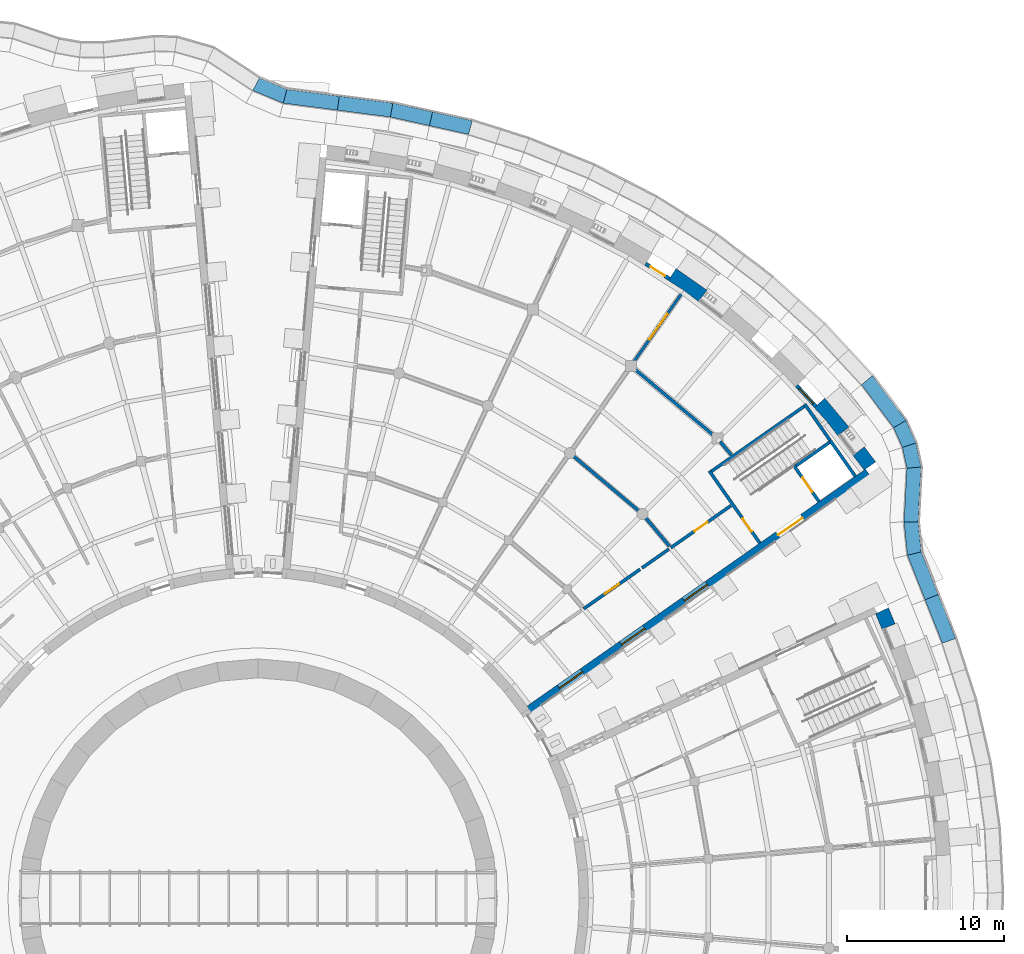
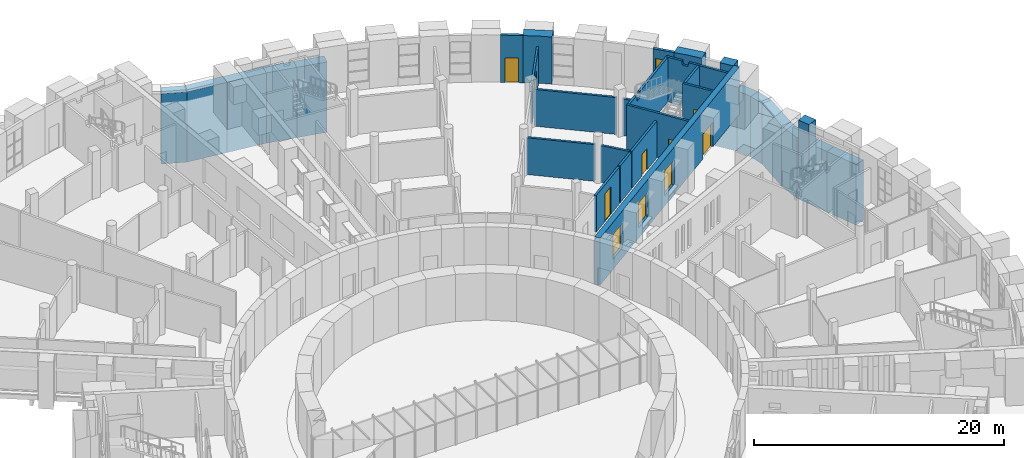
# One storey, part 60 of 85: 33 walls, 8 doors, 3 windows, 11 openings.
"""IFC4 building model written with IfcOpenShell, lengths in metres."""

from ifc_helpers import new_model, si_unit, direction, frame, frame_2d, origin, place, context, subcontext, project, spatial, polyline, rectangle, outline, extrude, material, layer, layer_set, type_object, element, fill, save


model = new_model("IFC4")

# Units and contexts
model_context = context("Model", 3, precision=1e-05, world=origin(), true_north=direction((0.0, 1.0)))
body_context = subcontext(model_context, "Body", "Model", "MODEL_VIEW")
ifc_project = project(units=[si_unit("LENGTHUNIT", "METRE"), si_unit("AREAUNIT", "SQUARE_METRE"), si_unit("VOLUMEUNIT", "CUBIC_METRE"), si_unit("PLANEANGLEUNIT", "RADIAN"), si_unit("MASSUNIT", "GRAM", prefix="KILO")], contexts=[model_context])

# Site, building, storey
site_placement = place(None, origin())
site = spatial("IfcSite", under=ifc_project, at=site_placement, CompositionType="ELEMENT")
building_placement = place(site_placement, origin())
building = spatial("IfcBuilding", under=site, at=building_placement, Name="Volute Hill Aquarium", CompositionType="ELEMENT")
storey_placement = place(building_placement, origin())
storey = spatial("IfcBuildingStorey", under=building, at=storey_placement, Name="L01", CompositionType="ELEMENT", Elevation=0.0)

# Wall, opening, door
ifc_material_1 = material(Name="Concrete C30/37", Category="concrete")
ifc_layer_1 = layer(ifc_material_1, 0.199951171875)
ifc_layer_set_1 = layer_set([ifc_layer_1], Name="Core wall 200 REI 60")
wall_type_1 = type_object("IfcWallType", Name="Core wall 200 REI 60", PredefinedType="SHEAR", material=ifc_layer_set_1)
wall_1_placement = place(storey_placement, frame((31.873291015625, 22.56201171875, 0.0), z_axis=(0.0, 0.0, 1.0), x_axis=(-0.573599855614, 0.819135645446, 0.0)))
wall_1 = element("IfcWall", 1, at=wall_1_placement, inside=storey, type_object=wall_type_1, Name="wc/S5-A/L01/in", PredefinedType="SHEAR", context=body_context, shape_type="SweptSolid", body=[
    extrude(rectangle(XDim=5.60009765625, YDim=0.199951171875, at=frame_2d((2.800048828125, 0.0))), origin(), (0.0, 0.0, 1.0), 4.35009765625),
])
opening_1_placement = place(wall_1_placement, frame((0.89990234375, 0.0, 0.0)))
opening_1 = element("IfcOpeningElement", 2, at=opening_1_placement, cuts=wall_1, Name="Opening D5.01.AS", PredefinedType="OPENING", context=body_context, shape_type="SweptSolid", body=[
    extrude(rectangle(XDim=1.0, YDim=2.10009765625, at=frame_2d((0.5, 1.050048828125))), frame((0.0, 0.10986328125, 0.0), z_axis=(0.0, -1.0, 0.0), x_axis=(1.0, 0.0, 0.0)), (0.0, 0.0, 1.0), 0.219970703125),
])
ifc_material_2 = material(Name="Timber, fire-rated", Category="wood")
door_type_1 = type_object("IfcDoorType", Name="Door 1000 x 2100 single EI1 30", OperationType="SINGLE_SWING_LEFT", PredefinedType="DOOR", material=ifc_material_2)
door_1_placement = place(opening_1_placement, origin())
door_1 = element("IfcDoor", 3, at=door_1_placement, inside=storey, type_object=door_type_1, Name="d/S5-A/L01/st", OperationType="SINGLE_SWING_RIGHT", OverallHeight=2.10009765625, OverallWidth=1.0, PredefinedType="DOOR", context=body_context, shape_type="SweptSolid", body=[
    extrude(rectangle(XDim=1.0, YDim=2.10009765625, at=frame_2d((0.5, 1.050048828125))), frame((0.0, 0.02490234375, 0.0), z_axis=(0.0, -1.0, 0.0), x_axis=(1.0, 0.0, 0.0)), (0.0, 0.0, 1.0), 0.050048828125),
])
fill(opening_1, door_1)

# Walls
wall_2_placement = place(storey_placement, frame((28.80029296875, 27.124755859375, 0.0), z_axis=(0.0, 0.0, 1.0), x_axis=(0.819161821637, 0.573562472597, 0.0)))
element("IfcWall", 4, at=wall_2_placement, inside=storey, type_object=wall_type_1, Name="wc/S5-A/L01/side", PredefinedType="SHEAR", context=body_context, shape_type="SweptSolid", body=[
    extrude(outline(polyline([(0.0, 0.0), (7.199951171875, 0.0), (7.199951171875, 4.35009765625), (1.93017578125, 4.35009765625), (1.880126953125, 3.760009765625), (1.380126953125, 3.760009765625), (1.330078125, 4.35009765625), (0.0, 4.35009765625), (0.0, 0.0)])), frame((0.0, 0.10009765625, 0.0), z_axis=(0.0, -1.0, 0.0), x_axis=(1.0, 0.0, 0.0)), (0.0, 0.0, 1.0), 0.199951171875),
])
wall_3_placement = place(storey_placement, frame((36.328857421875, 29.10009765625, 0.0), z_axis=(0.0, 0.0, 1.0), x_axis=(-0.573550118428, 0.819170471667, 0.0)))
element("IfcWall", 5, at=wall_3_placement, inside=storey, type_object=wall_type_1, Name="wc/S5-A/L01/out-b", PredefinedType="SHEAR", context=body_context, shape_type="SweptSolid", body=[
    extrude(outline(polyline([(0.0, 0.0), (2.800048828125, 0.0), (2.800048828125, 4.35009765625), (1.37255859375, 4.35009765625), (1.322509765625, 3.9599609375), (0.822509765625, 3.9599609375), (0.7724609375, 4.35009765625), (0.0, 4.35009765625), (0.0, 0.0)])), frame((0.0, 0.10009765625, 0.0), z_axis=(0.0, -1.0, 0.0), x_axis=(1.0, 0.0, 0.0)), (0.0, 0.0, 1.0), 0.199951171875),
])

# Wall, opening, door
ifc_material_3 = material(Name="Gypsum board on steel studs", Category="steel")
ifc_layer_2 = layer(ifc_material_3, 0.175048828125)
ifc_layer_set_2 = layer_set([ifc_layer_2], Name="Corridor partition 175 EI 60")
wall_type_2 = type_object("IfcWallType", Name="Corridor partition 175 EI 60", PredefinedType="PARTITIONING", material=ifc_layer_set_2)
wall_4_placement = place(storey_placement, frame((23.819091796875, 34.01708984375, 0.0), z_axis=(0.0, 0.0, 1.0), x_axis=(0.573564881926, 0.819160134663, 0.0)))
wall_4 = element("IfcWall", 6, at=wall_4_placement, inside=storey, type_object=wall_type_2, Name="pw/S5/L01/008", PredefinedType="PARTITIONING", context=body_context, shape_type="SweptSolid", body=[
    extrude(rectangle(XDim=5.5927734375, YDim=0.175048828125, at=frame_2d((2.79638671875, 0.0))), origin(), (0.0, 0.0, 1.0), 3.590087890625),
])
opening_2_placement = place(wall_4_placement, frame((1.79638671875, 0.0, 0.0)))
opening_2 = element("IfcOpeningElement", 7, at=opening_2_placement, cuts=wall_4, Name="Opening D5.01.08", PredefinedType="OPENING", context=body_context, shape_type="SweptSolid", body=[
    extrude(rectangle(XDim=2.0, YDim=2.699951171875, at=frame_2d((1.0, 1.35009765625))), frame((0.0, 0.097412109375, 0.0), z_axis=(0.0, -1.0, 0.0), x_axis=(1.0, 0.0, 0.0)), (0.0, 0.0, 1.0), 0.195068359375),
])
ifc_material_4 = material(Name="Steel, fire-rated", Category="steel")
door_type_2 = type_object("IfcDoorType", Name="Door 2000 x 2700 dock double EI1 30", OperationType="DOUBLE_DOOR_SINGLE_SWING", PredefinedType="DOOR", material=ifc_material_4)
door_2_placement = place(opening_2_placement, origin())
door_2 = element("IfcDoor", 8, at=door_2_placement, inside=storey, type_object=door_type_2, Name="d/S5/L01/08", OperationType="SINGLE_SWING_LEFT", OverallHeight=2.699951171875, OverallWidth=2.0, PredefinedType="DOOR", context=body_context, shape_type="SweptSolid", body=[
    extrude(rectangle(XDim=2.0, YDim=2.699951171875, at=frame_2d((1.0, 1.35009765625))), frame((0.0, 0.02490234375, 0.0), z_axis=(0.0, -1.0, 0.0), x_axis=(1.0, 0.0, 0.0)), (0.0, 0.0, 1.0), 0.050048828125),
])
fill(opening_2, door_2)

# Wall, openings, door, windows
ifc_material_5 = material(Name="Concrete C35/45", Category="concrete")
ifc_layer_3 = layer(ifc_material_5, 0.5)
ifc_layer_set_3 = layer_set([ifc_layer_3], Name="End wall 500 C35/45")
wall_type_3 = type_object("IfcWallType", Name="End wall 500 C35/45", PredefinedType="SHEAR", material=ifc_layer_set_3)
wall_5_placement = place(storey_placement, frame((17.14892578125, 11.94677734375, 0.0), z_axis=(0.0, 0.0, 1.0), x_axis=(0.819152256121, 0.573576133823, 0.0)))
wall_5 = element("IfcWall", 9, at=wall_5_placement, inside=storey, type_object=wall_type_3, Name="sw/S5/L01/endA", PredefinedType="SHEAR", context=body_context, shape_type="SweptSolid", body=[
    extrude(rectangle(XDim=26.35009765625, YDim=0.5, at=frame_2d((13.175048828125, 0.0))), origin(), (0.0, 0.0, 1.0), 4.60009765625),
])
opening_3_placement = place(wall_5_placement, frame((2.43115234375, 0.0, 1.0)))
opening_3 = element("IfcOpeningElement", 10, at=opening_3_placement, cuts=wall_5, Name="Opening W13", PredefinedType="OPENING", context=body_context, shape_type="SweptSolid", body=[
    extrude(rectangle(XDim=1.800048828125, YDim=2.39990234375, at=frame_2d((0.89990234375, 1.199951171875))), frame((0.0, 0.260009765625, 0.0), z_axis=(0.0, -1.0, 0.0), x_axis=(1.0, 0.0, 0.0)), (0.0, 0.0, 1.0), 0.52001953125),
])
opening_4_placement = place(wall_5_placement, frame((7.252197265625, 0.0, 1.0)))
opening_4 = element("IfcOpeningElement", 11, at=opening_4_placement, cuts=wall_5, Name="Opening W13", PredefinedType="OPENING", context=body_context, shape_type="SweptSolid", body=[
    extrude(rectangle(XDim=1.800048828125, YDim=2.39990234375, at=frame_2d((0.89990234375, 1.199951171875))), frame((0.0, 0.260009765625, 0.0), z_axis=(0.0, -1.0, 0.0), x_axis=(1.0, 0.0, 0.0)), (0.0, 0.0, 1.0), 0.52001953125),
])
opening_5_placement = place(wall_5_placement, frame((12.1181640625, 0.0, 1.0)))
opening_5 = element("IfcOpeningElement", 12, at=opening_5_placement, cuts=wall_5, Name="Opening W13", PredefinedType="OPENING", context=body_context, shape_type="SweptSolid", body=[
    extrude(rectangle(XDim=1.800048828125, YDim=2.39990234375, at=frame_2d((0.89990234375, 1.199951171875))), frame((0.0, 0.260009765625, 0.0), z_axis=(0.0, -1.0, 0.0), x_axis=(1.0, 0.0, 0.0)), (0.0, 0.0, 1.0), 0.52001953125),
])
opening_6_placement = place(wall_5_placement, frame((19.39990234375, 0.0, 0.0)))
opening_6 = element("IfcOpeningElement", 13, at=opening_6_placement, cuts=wall_5, Name="Opening D5.01.AX", PredefinedType="OPENING", context=body_context, shape_type="SweptSolid", body=[
    extrude(rectangle(XDim=1.89990234375, YDim=2.39990234375, at=frame_2d((0.949951171875, 1.199951171875))), frame((0.0, 0.260009765625, 0.0), z_axis=(0.0, -1.0, 0.0), x_axis=(1.0, 0.0, 0.0)), (0.0, 0.0, 1.0), 0.52001953125),
])
ifc_material_6 = material(Name="Steel, fire-rated", Category="steel")
door_type_3 = type_object("IfcDoorType", Name="Door 1900 x 2400 stair exit double EI1 30", OperationType="DOUBLE_DOOR_SINGLE_SWING", PredefinedType="DOOR", material=ifc_material_6)
door_3_placement = place(opening_6_placement, origin())
door_3 = element("IfcDoor", 14, at=door_3_placement, inside=storey, type_object=door_type_3, Name="d/S5-A/L01/ex", OperationType="SINGLE_SWING_LEFT", OverallHeight=2.39990234375, OverallWidth=1.89990234375, PredefinedType="DOOR", context=body_context, shape_type="SweptSolid", body=[
    extrude(rectangle(XDim=1.89990234375, YDim=2.39990234375, at=frame_2d((0.949951171875, 1.199951171875))), frame((0.0, 0.02490234375, 0.0), z_axis=(0.0, -1.0, 0.0), x_axis=(1.0, 0.0, 0.0)), (0.0, 0.0, 1.0), 0.050048828125),
])
fill(opening_6, door_3)
ifc_material_7 = material(Name="Aluminium and glass", Category="aluminium")
window_type = type_object("IfcWindowType", Name="End wall window 1800x2400", PartitioningType="SINGLE_PANEL", PredefinedType="WINDOW", material=ifc_material_7)
window_1_placement = place(opening_3_placement, origin())
window_1 = element("IfcWindow", 15, at=window_1_placement, inside=storey, type_object=window_type, Name="End wall window S5A L01 1.1", OverallHeight=2.39990234375, OverallWidth=1.800048828125, PartitioningType="SINGLE_PANEL", PredefinedType="WINDOW", context=body_context, shape_type="SweptSolid", body=[
    extrude(rectangle(XDim=1.800048828125, YDim=2.39990234375, at=frame_2d((0.89990234375, 1.199951171875))), frame((0.0, 0.030029296875, 0.0), z_axis=(0.0, -1.0, 0.0), x_axis=(1.0, 0.0, 0.0)), (0.0, 0.0, 1.0), 0.06005859375),
])
fill(opening_3, window_1)
window_2_placement = place(opening_4_placement, origin())
window_2 = element("IfcWindow", 16, at=window_2_placement, inside=storey, type_object=window_type, Name="End wall window S5A L01 2.1", OverallHeight=2.39990234375, OverallWidth=1.800048828125, PartitioningType="SINGLE_PANEL", PredefinedType="WINDOW", context=body_context, shape_type="SweptSolid", body=[
    extrude(rectangle(XDim=1.800048828125, YDim=2.39990234375, at=frame_2d((0.89990234375, 1.199951171875))), frame((0.0, 0.030029296875, 0.0), z_axis=(0.0, -1.0, 0.0), x_axis=(1.0, 0.0, 0.0)), (0.0, 0.0, 1.0), 0.06005859375),
])
fill(opening_4, window_2)
window_3_placement = place(opening_5_placement, origin())
window_3 = element("IfcWindow", 17, at=window_3_placement, inside=storey, type_object=window_type, Name="End wall window S5A L01 3.1", OverallHeight=2.39990234375, OverallWidth=1.800048828125, PartitioningType="SINGLE_PANEL", PredefinedType="WINDOW", context=body_context, shape_type="SweptSolid", body=[
    extrude(rectangle(XDim=1.800048828125, YDim=2.39990234375, at=frame_2d((0.89990234375, 1.199951171875))), frame((0.0, 0.030029296875, 0.0), z_axis=(0.0, -1.0, 0.0), x_axis=(1.0, 0.0, 0.0)), (0.0, 0.0, 1.0), 0.06005859375),
])
fill(opening_5, window_3)

# Walls
ifc_material_8 = material(Name="Masonry blockwork", Category="masonry")
ifc_layer_4 = layer(ifc_material_8, 0.199951171875)
ifc_layer_set_4 = layer_set([ifc_layer_4], Name="Fire partition 200 EI 60")
wall_type_4 = type_object("IfcWallType", Name="Fire partition 200 EI 60", PredefinedType="PARTITIONING", material=ifc_layer_set_4)
wall_6_placement = place(storey_placement, frame((23.865234375, 33.66650390625, 0.0), z_axis=(0.0, 0.0, 1.0), x_axis=(0.766057023057, -0.642772617202, 0.0)))
element("IfcWall", 18, at=wall_6_placement, inside=storey, type_object=wall_type_4, Name="pw/S5/L01/003", PredefinedType="PARTITIONING", context=body_context, shape_type="SweptSolid", body=[
    extrude(rectangle(XDim=6.71728515625, YDim=0.199951171875, at=frame_2d((3.358642578125, 0.0))), origin(), (0.0, 0.0, 1.0), 3.590087890625),
])
wall_7_placement = place(storey_placement, frame((19.986572265625, 28.126953125, 0.0), z_axis=(0.0, 0.0, 1.0), x_axis=(0.766045187475, -0.642786722597, 0.0)))
element("IfcWall", 19, at=wall_7_placement, inside=storey, type_object=wall_type_4, Name="pw/S5/L01/010", PredefinedType="PARTITIONING", context=body_context, shape_type="SweptSolid", body=[
    extrude(rectangle(XDim=5.5380859375, YDim=0.199951171875, at=frame_2d((2.76904296875, 0.0))), origin(), (0.0, 0.0, 1.0), 3.590087890625),
])

# Wall, opening, door
wall_8_placement = place(storey_placement, frame((26.21630859375, 22.263427734375, 0.0), z_axis=(0.0, 0.0, 1.0), x_axis=(0.819163219181, 0.57356047662, 0.0)))
wall_8 = element("IfcWall", 20, at=wall_8_placement, inside=storey, type_object=wall_type_4, Name="pw/S5/L01/012", PredefinedType="PARTITIONING", context=body_context, shape_type="SweptSolid", body=[
    extrude(rectangle(XDim=4.675048828125, YDim=0.199951171875, at=frame_2d((2.33740234375, 0.0))), origin(), (0.0, 0.0, 1.0), 3.590087890625),
])
opening_7_placement = place(wall_8_placement, frame((1.83740234375, 0.0, 0.0)))
opening_7 = element("IfcOpeningElement", 21, at=opening_7_placement, cuts=wall_8, Name="Opening D5.01.04", PredefinedType="OPENING", context=body_context, shape_type="SweptSolid", body=[
    extrude(rectangle(XDim=1.0, YDim=2.10009765625, at=frame_2d((0.5, 1.050048828125))), frame((0.0, 0.10986328125, 0.0), z_axis=(0.0, -1.0, 0.0), x_axis=(1.0, 0.0, 0.0)), (0.0, 0.0, 1.0), 0.219970703125),
])
door_4_placement = place(opening_7_placement, origin())
door_4 = element("IfcDoor", 22, at=door_4_placement, inside=storey, type_object=door_type_1, Name="d/S5/L01/04", OperationType="SINGLE_SWING_RIGHT", OverallHeight=2.10009765625, OverallWidth=1.0, PredefinedType="DOOR", context=body_context, shape_type="SweptSolid", body=[
    extrude(rectangle(XDim=1.0, YDim=2.10009765625, at=frame_2d((0.5, 1.050048828125))), frame((0.0, 0.02490234375, 0.0), z_axis=(0.0, -1.0, 0.0), x_axis=(1.0, 0.0, 0.0)), (0.0, 0.0, 1.0), 0.050048828125),
])
fill(opening_7, door_4)

wall_9_placement = place(storey_placement, frame((20.677001953125, 18.384765625, 0.0), z_axis=(0.0, 0.0, 1.0), x_axis=(0.819145467106, 0.573585829427, 0.0)))
wall_9 = element("IfcWall", 23, at=wall_9_placement, inside=storey, type_object=wall_type_4, Name="pw/S5/L01/013", PredefinedType="PARTITIONING", context=body_context, shape_type="SweptSolid", body=[
    extrude(rectangle(XDim=4.378662109375, YDim=0.199951171875, at=frame_2d((2.189453125, 0.0))), origin(), (0.0, 0.0, 1.0), 3.590087890625),
])
opening_8_placement = place(wall_9_placement, frame((1.639404296875, 0.0, 0.0)))
opening_8 = element("IfcOpeningElement", 24, at=opening_8_placement, cuts=wall_9, Name="Opening D5.01.03", PredefinedType="OPENING", context=body_context, shape_type="SweptSolid", body=[
    extrude(rectangle(XDim=1.10009765625, YDim=2.699951171875, at=frame_2d((0.550048828125, 1.35009765625))), frame((0.0, 0.10986328125, 0.0), z_axis=(0.0, -1.0, 0.0), x_axis=(1.0, 0.0, 0.0)), (0.0, 0.0, 1.0), 0.219970703125),
])
ifc_material_9 = material(Name="Steel, fire-rated", Category="steel")
door_type_4 = type_object("IfcDoorType", Name="Door 1100 x 2700 animal care EI1 30", OperationType="SINGLE_SWING_LEFT", PredefinedType="DOOR", material=ifc_material_9)
door_5_placement = place(opening_8_placement, origin())
door_5 = element("IfcDoor", 25, at=door_5_placement, inside=storey, type_object=door_type_4, Name="d/S5/L01/03", OperationType="SINGLE_SWING_LEFT", OverallHeight=2.699951171875, OverallWidth=1.10009765625, PredefinedType="DOOR", context=body_context, shape_type="SweptSolid", body=[
    extrude(rectangle(XDim=1.10009765625, YDim=2.699951171875, at=frame_2d((0.550048828125, 1.35009765625))), frame((0.0, 0.02490234375, 0.0), z_axis=(0.0, -1.0, 0.0), x_axis=(1.0, 0.0, 0.0)), (0.0, 0.0, 1.0), 0.050048828125),
])
fill(opening_8, door_5)

# Walls
wall_10_placement = place(storey_placement, frame((24.567138671875, 24.22900390625, 0.0), z_axis=(0.0, 0.0, 1.0), x_axis=(0.642773582777, -0.766056212875, 0.0)))
element("IfcWall", 26, at=wall_10_placement, inside=storey, type_object=wall_type_4, Name="pw/S5/L01/022", PredefinedType="PARTITIONING", context=body_context, shape_type="SweptSolid", body=[
    extrude(rectangle(XDim=2.435791015625, YDim=0.199951171875, at=frame_2d((1.2177734375, 0.0))), origin(), (0.0, 0.0, 1.0), 3.590087890625),
])
wall_11_placement = place(storey_placement, frame((24.38671875, 20.982177734375, 0.0), z_axis=(0.0, 0.0, 1.0), x_axis=(0.819105298708, 0.57364319017, 0.0)))
element("IfcWall", 27, at=wall_11_placement, inside=storey, type_object=wall_type_4, Name="pw/S5/L01/023", PredefinedType="PARTITIONING", context=body_context, shape_type="SweptSolid", body=[
    extrude(rectangle(XDim=2.083740234375, YDim=0.199951171875, at=frame_2d((1.0419921875, 0.0))), origin(), (0.0, 0.0, 1.0), 3.590087890625),
])
wall_12_placement = place(storey_placement, frame((29.348876953125, 29.010986328125, 0.0), z_axis=(0.0, 0.0, 1.0), x_axis=(0.642875879514, -0.765970367272, 0.0)))
element("IfcWall", 28, at=wall_12_placement, inside=storey, type_object=wall_type_4, Name="pw/S5/L01/034", PredefinedType="PARTITIONING", context=body_context, shape_type="SweptSolid", body=[
    extrude(rectangle(XDim=1.104736328125, YDim=0.199951171875, at=frame_2d((0.55224609375, 0.0))), origin(), (0.0, 0.0, 1.0), 3.590087890625),
])

# Wall, opening, door
ifc_material_10 = material(Name="Concrete C30/37", Category="concrete")
ifc_layer_5 = layer(ifc_material_10, 0.25)
ifc_layer_set_5 = layer_set([ifc_layer_5], Name="Niche back wall full height 250")
wall_type_5 = type_object("IfcWallType", Name="Niche back wall full height 250", PredefinedType="NOTDEFINED", material=ifc_layer_set_5)
wall_13_placement = place(storey_placement, frame((34.21826171875, 32.566162109375, 0.0), z_axis=(0.0, 0.0, 1.0), x_axis=(0.675600784767, -0.737267644497, 0.0)))
wall_13 = element("IfcWall", 29, at=wall_13_placement, inside=storey, type_object=wall_type_5, Name="Niche back wall OWN S5 L01 2", PredefinedType="NOTDEFINED", context=body_context, shape_type="SweptSolid", body=[
    extrude(rectangle(XDim=1.785400390625, YDim=0.25, at=frame_2d((0.892578125, 0.0))), origin(), (0.0, 0.0, 1.0), 4.60009765625),
])
opening_9_placement = place(wall_13_placement, frame((0.242919921875, 0.0, 0.0)))
opening_9 = element("IfcOpeningElement", 30, at=opening_9_placement, cuts=wall_13, Name="Opening ED07", PredefinedType="OPENING", context=body_context, shape_type="SweptSolid", body=[
    extrude(rectangle(XDim=1.300048828125, YDim=3.699951171875, at=frame_2d((0.64990234375, 1.85009765625))), frame((0.0, 0.135009765625, 0.0), z_axis=(0.0, -1.0, 0.0), x_axis=(1.0, 0.0, 0.0)), (0.0, 0.0, 1.0), 0.27001953125),
])
ifc_material_11 = material(Name="Steel", Category="steel")
door_type_5 = type_object("IfcDoorType", Name="Roller shutter dock door 1300x3700", OperationType="ROLLINGUP", PredefinedType="DOOR", material=ifc_material_11)
door_6_placement = place(opening_9_placement, origin())
door_6 = element("IfcDoor", 31, at=door_6_placement, inside=storey, type_object=door_type_5, Name="External door ED07 S5 L01", OperationType="ROLLINGUP", OverallHeight=3.699951171875, OverallWidth=1.300048828125, PredefinedType="DOOR", context=body_context, shape_type="SweptSolid", body=[
    extrude(rectangle(XDim=1.300048828125, YDim=3.699951171875, at=frame_2d((0.64990234375, 1.85009765625))), frame((0.0, 0.02490234375, 0.0), z_axis=(0.0, -1.0, 0.0), x_axis=(1.0, 0.0, 0.0)), (0.0, 0.0, 1.0), 0.050048828125),
])
fill(opening_9, door_6)

wall_14_placement = place(storey_placement, frame((24.62353515625, 40.312744140625, 0.0), z_axis=(0.0, 0.0, 1.0), x_axis=(0.843419289708, -0.537255899686, 0.0)))
wall_14 = element("IfcWall", 32, at=wall_14_placement, inside=storey, type_object=wall_type_5, Name="Niche back wall OWN S5 L01 5", PredefinedType="NOTDEFINED", context=body_context, shape_type="SweptSolid", body=[
    extrude(rectangle(XDim=1.785400390625, YDim=0.25, at=frame_2d((0.892578125, 0.0))), origin(), (0.0, 0.0, 1.0), 4.60009765625),
])
opening_10_placement = place(wall_14_placement, frame((0.3427734375, 0.0, 0.0)))
opening_10 = element("IfcOpeningElement", 33, at=opening_10_placement, cuts=wall_14, Name="Opening ED09", PredefinedType="OPENING", context=body_context, shape_type="SweptSolid", body=[
    extrude(rectangle(XDim=1.10009765625, YDim=2.39990234375, at=frame_2d((0.550048828125, 1.199951171875))), frame((0.0, 0.135009765625, 0.0), z_axis=(0.0, -1.0, 0.0), x_axis=(1.0, 0.0, 0.0)), (0.0, 0.0, 1.0), 0.27001953125),
])
ifc_material_12 = material(Name="Steel", Category="steel")
door_type_6 = type_object("IfcDoorType", Name="Steel single door 1100x2400", OperationType="SINGLE_SWING_RIGHT", PredefinedType="DOOR", material=ifc_material_12)
door_7_placement = place(opening_10_placement, origin())
door_7 = element("IfcDoor", 34, at=door_7_placement, inside=storey, type_object=door_type_6, Name="External door ED09 S5 L01", OperationType="SINGLE_SWING_RIGHT", OverallHeight=2.39990234375, OverallWidth=1.10009765625, PredefinedType="DOOR", context=body_context, shape_type="SweptSolid", body=[
    extrude(rectangle(XDim=1.10009765625, YDim=2.39990234375, at=frame_2d((0.550048828125, 1.199951171875))), frame((0.0, 0.02490234375, 0.0), z_axis=(0.0, -1.0, 0.0), x_axis=(1.0, 0.0, 0.0)), (0.0, 0.0, 1.0), 0.050048828125),
])
fill(opening_10, door_7)

# Walls
ifc_material_13 = material(Name="Precast concrete C40/50", Category="concrete")
ifc_layer_6 = layer(ifc_material_13, 0.89990234375)
ifc_layer_set_6 = layer_set([ifc_layer_6], Name="Outer pier precast concrete C40/50 900")
wall_type_6 = type_object("IfcWallType", Name="Outer pier precast concrete C40/50 900", PredefinedType="NOTDEFINED", material=ifc_layer_set_6)
wall_15_placement = place(storey_placement, origin())
element("IfcWall", 35, at=wall_15_placement, inside=storey, type_object=wall_type_6, Name="Outer pier OWP S4 L01 11", PredefinedType="NOTDEFINED", context=body_context, shape_type="SweptSolid", body=[
    extrude(outline(polyline([(39.636474609375, 17.08740234375), (40.468017578125, 17.431884765625), (40.045166015625, 18.45263671875), (39.228759765625, 18.072021484375), (39.636474609375, 17.08740234375)])), origin(), (0.0, 0.0, 1.0), 4.60009765625),
])
wall_16_placement = place(storey_placement, origin())
element("IfcWall", 36, at=wall_16_placement, inside=storey, type_object=wall_type_6, Name="Outer pier OWP S5 L01 1", PredefinedType="NOTDEFINED", context=body_context, shape_type="SweptSolid", body=[
    extrude(outline(polyline([(38.500732421875, 27.20263671875), (39.23876953125, 27.719482421875), (38.50634765625, 28.673828125), (37.792236328125, 28.1259765625), (38.500732421875, 27.20263671875)])), origin(), (0.0, 0.0, 1.0), 4.60009765625),
])
wall_17_placement = place(storey_placement, origin())
element("IfcWall", 37, at=wall_17_placement, inside=storey, type_object=wall_type_6, Name="Outer pier OWP S5 L01 2", PredefinedType="NOTDEFINED", context=body_context, shape_type="SweptSolid", body=[
    extrude(outline(polyline([(36.8271484375, 29.3837890625), (37.541259765625, 29.931640625), (35.995849609375, 31.773193359375), (35.332275390625, 31.165283203125), (36.11865234375, 30.30712890625), (36.8271484375, 29.3837890625)])), origin(), (0.0, 0.0, 1.0), 4.60009765625),
])
wall_18_placement = place(storey_placement, origin())
element("IfcWall", 38, at=wall_18_placement, inside=storey, type_object=wall_type_6, Name="Outer pier OWP S5 L01 5", PredefinedType="NOTDEFINED", context=body_context, shape_type="SweptSolid", body=[
    extrude(outline(polyline([(27.96728515625, 37.9140625), (28.51513671875, 38.628173828125), (26.5458984375, 40.007080078125), (26.062255859375, 39.248046875), (27.0439453125, 38.622802734375), (27.96728515625, 37.9140625)])), origin(), (0.0, 0.0, 1.0), 4.60009765625),
])
ifc_material_14 = material(Name="Concrete C30/37", Category="concrete")
ifc_layer_7 = layer(ifc_material_14, 0.199951171875)
ifc_layer_set_7 = layer_set([ifc_layer_7], Name="Shaft wall 200 EI 60")
wall_type_7 = type_object("IfcWallType", Name="Shaft wall 200 EI 60", PredefinedType="SOLIDWALL", material=ifc_layer_set_7)
wall_19_placement = place(storey_placement, frame((37.934814453125, 26.806396484375, 0.0), z_axis=(0.0, 0.0, 1.0), x_axis=(-0.573550118428, 0.819170471667, 0.0)))
element("IfcWall", 39, at=wall_19_placement, inside=storey, type_object=wall_type_7, Name="wc/S5-A/L01/out-a", PredefinedType="SOLIDWALL", context=body_context, shape_type="SweptSolid", body=[
    extrude(rectangle(XDim=2.800048828125, YDim=0.199951171875, at=frame_2d((1.39990234375, 0.0))), origin(), (0.0, 0.0, 1.0), 4.35009765625),
])

# Wall, opening, door
wall_20_placement = place(storey_placement, frame((35.641357421875, 25.200439453125, 0.0), z_axis=(0.0, 0.0, 1.0), x_axis=(-0.573550118428, 0.819170471667, 0.0)))
wall_20 = element("IfcWall", 40, at=wall_20_placement, inside=storey, type_object=wall_type_7, Name="wc/S5-A/L01/front", PredefinedType="SOLIDWALL", context=body_context, shape_type="SweptSolid", body=[
    extrude(rectangle(XDim=2.800048828125, YDim=0.199951171875, at=frame_2d((1.39990234375, 0.0))), origin(), (0.0, 0.0, 1.0), 4.35009765625),
])
opening_11_placement = place(wall_20_placement, frame((0.75, 0.0, 0.0)))
opening_11 = element("IfcOpeningElement", 41, at=opening_11_placement, cuts=wall_20, Name="Opening LD5.01.A", PredefinedType="OPENING", context=body_context, shape_type="SweptSolid", body=[
    extrude(rectangle(XDim=1.10009765625, YDim=2.10009765625, at=frame_2d((0.550048828125, 1.050048828125))), frame((0.0, 0.10986328125, 0.0), z_axis=(0.0, -1.0, 0.0), x_axis=(1.0, 0.0, 0.0)), (0.0, 0.0, 1.0), 0.219970703125),
])
ifc_material_15 = material(Name="Stainless steel", Category="steel")
door_type_7 = type_object("IfcDoorType", Name="Lift landing door 1100 x 2100", OperationType="SLIDING_TO_LEFT", PredefinedType="DOOR", material=ifc_material_15)
door_8_placement = place(opening_11_placement, origin())
door_8 = element("IfcDoor", 42, at=door_8_placement, inside=storey, type_object=door_type_7, Name="d/S5-A/L01/ld", OperationType="SLIDING_TO_LEFT", OverallHeight=2.10009765625, OverallWidth=1.10009765625, PredefinedType="DOOR", context=body_context, shape_type="SweptSolid", body=[
    extrude(rectangle(XDim=1.10009765625, YDim=2.10009765625, at=frame_2d((0.550048828125, 1.050048828125))), frame((0.0, 0.02490234375, 0.0), z_axis=(0.0, -1.0, 0.0), x_axis=(1.0, 0.0, 0.0)), (0.0, 0.0, 1.0), 0.050048828125),
])
fill(opening_11, door_8)

# Walls
wall_21_placement = place(storey_placement, frame((34.174560546875, 27.469482421875, 0.0), z_axis=(0.0, 0.0, 1.0), x_axis=(0.819148089014, 0.573582085028, 0.0)))
element("IfcWall", 43, at=wall_21_placement, inside=storey, type_object=wall_type_7, Name="wc/S5-A/L01/shaft-side", PredefinedType="SOLIDWALL", context=body_context, shape_type="SweptSolid", body=[
    extrude(rectangle(XDim=2.599853515625, YDim=0.199951171875, at=frame_2d((1.2998046875, 0.0))), origin(), (0.0, 0.0, 1.0), 4.35009765625),
])
ifc_material_16 = material(Name="Concrete C30/37", Category="concrete")
ifc_layer_8 = layer(ifc_material_16, 0.89990234375)
ifc_layer_set_8 = layer_set([ifc_layer_8], Name="Site edge retaining wall C30/37 900")
wall_type_8 = type_object("IfcWallType", Name="Site edge retaining wall C30/37 900", PredefinedType="SOLIDWALL", material=ifc_layer_set_8)
wall_22_placement = place(storey_placement, frame((0.0, 0.0, -6.0)))
element("IfcWall", 44, at=wall_22_placement, inside=storey, type_object=wall_type_8, Name="rw/E53UP/L01/0", PredefinedType="SOLIDWALL", context=body_context, shape_type="SweptSolid", body=[
    extrude(outline(polyline([(44.31640625, 16.502197265625), (43.20947265625, 19.291259765625), (42.373046875, 18.959228515625), (43.468994140625, 16.197509765625), (44.31640625, 16.502197265625), (44.31640625, 16.502197265625)])), origin(), (0.0, 0.0, 1.0), 5.89990234375),
])
wall_23_placement = place(storey_placement, frame((0.0, 0.0, -6.0)))
element("IfcWall", 45, at=wall_23_placement, inside=storey, type_object=wall_type_8, Name="rw/E53UP/L01/1", PredefinedType="SOLIDWALL", context=body_context, shape_type="SweptSolid", body=[
    extrude(outline(polyline([(42.131103515625, 22.008544921875), (42.131103515625, 22.008544921875), (41.24853515625, 21.79248046875), (41.24853515625, 21.79248046875), (42.373046875, 18.959228515625), (43.20947265625, 19.291259765625), (42.131103515625, 22.008544921875)])), origin(), (0.0, 0.0, 1.0), 5.89990234375),
])
wall_24_placement = place(storey_placement, frame((0.0, 0.0, -6.0)))
element("IfcWall", 46, at=wall_24_placement, inside=storey, type_object=wall_type_8, Name="rw/E54UP/L01/0", PredefinedType="SOLIDWALL", context=body_context, shape_type="SweptSolid", body=[
    extrude(outline(polyline([(42.131103515625, 22.008544921875), (41.93408203125, 23.919677734375), (41.031494140625, 23.897216796875), (41.24853515625, 21.79248046875), (42.131103515625, 22.008544921875)])), origin(), (0.0, 0.0, 1.0), 5.89990234375),
])
wall_25_placement = place(storey_placement, frame((0.0, 0.0, -6.0)))
element("IfcWall", 47, at=wall_25_placement, inside=storey, type_object=wall_type_8, Name="rw/E55UP/L01/0", PredefinedType="SOLIDWALL", context=body_context, shape_type="SweptSolid", body=[
    extrude(outline(polyline([(42.118896484375, 27.39306640625), (42.118896484375, 27.39306640625), (41.2138671875, 27.3212890625), (41.031494140625, 23.897216796875), (41.031494140625, 23.897216796875), (41.93408203125, 23.919677734375), (41.93408203125, 23.919677734375), (42.118896484375, 27.39306640625)])), origin(), (0.0, 0.0, 1.0), 5.89990234375),
])
wall_26_placement = place(storey_placement, frame((0.0, 0.0, -6.0)))
element("IfcWall", 48, at=wall_26_placement, inside=storey, type_object=wall_type_8, Name="rw/E56UP/L01/0", PredefinedType="SOLIDWALL", context=body_context, shape_type="SweptSolid", body=[
    extrude(outline(polyline([(42.118896484375, 27.39306640625), (41.790771484375, 28.919921875), (40.930419921875, 28.640625), (41.2138671875, 27.3212890625), (41.2138671875, 27.3212890625), (42.118896484375, 27.39306640625)])), origin(), (0.0, 0.0, 1.0), 5.89990234375),
])
wall_27_placement = place(storey_placement, frame((0.0, 0.0, -6.0)))
element("IfcWall", 49, at=wall_27_placement, inside=storey, type_object=wall_type_8, Name="rw/E57UP/L01/0", PredefinedType="SOLIDWALL", context=body_context, shape_type="SweptSolid", body=[
    extrude(outline(polyline([(41.1572265625, 30.353759765625), (41.1572265625, 30.353759765625), (40.37548828125, 29.896484375), (40.930419921875, 28.640625), (40.930419921875, 28.640625), (41.790771484375, 28.919921875), (41.790771484375, 28.919921875), (41.1572265625, 30.353759765625)])), origin(), (0.0, 0.0, 1.0), 5.89990234375),
])
wall_28_placement = place(storey_placement, frame((0.0, 0.0, -6.0)))
element("IfcWall", 50, at=wall_28_placement, inside=storey, type_object=wall_type_8, Name="rw/E58UP/L01/0", PredefinedType="SOLIDWALL", context=body_context, shape_type="SweptSolid", body=[
    extrude(outline(polyline([(41.1572265625, 30.353759765625), (39.025634765625, 33.20263671875), (38.333740234375, 32.625244140625), (38.333740234375, 32.625244140625), (40.37548828125, 29.896484375), (41.1572265625, 30.353759765625)])), origin(), (0.0, 0.0, 1.0), 5.89990234375),
])
wall_29_placement = place(storey_placement, frame((0.0, 0.0, -6.0)))
element("IfcWall", 51, at=wall_29_placement, inside=storey, type_object=wall_type_8, Name="rw/E66UP/L01/0", PredefinedType="SOLIDWALL", context=body_context, shape_type="SweptSolid", body=[
    extrude(outline(polyline([(13.598388671875, 49.401611328125), (11.076416015625, 49.960693359375), (10.8818359375, 49.08203125), (13.365234375, 48.531494140625), (13.598388671875, 49.401611328125)])), origin(), (0.0, 0.0, 1.0), 6.85009765625),
])
wall_30_placement = place(storey_placement, frame((0.0, 0.0, -6.0)))
element("IfcWall", 52, at=wall_30_placement, inside=storey, type_object=wall_type_8, Name="rw/E66UP/L01/1", PredefinedType="SOLIDWALL", context=body_context, shape_type="SweptSolid", body=[
    extrude(outline(polyline([(11.076416015625, 49.960693359375), (8.55419921875, 50.519775390625), (8.398681640625, 49.632568359375), (10.8818359375, 49.08203125), (11.076416015625, 49.960693359375)])), origin(), (0.0, 0.0, 1.0), 6.85009765625),
])
wall_31_placement = place(storey_placement, frame((0.0, 0.0, -6.0)))
element("IfcWall", 53, at=wall_31_placement, inside=storey, type_object=wall_type_8, Name="rw/E67UP/L01/0", PredefinedType="SOLIDWALL", context=body_context, shape_type="SweptSolid", body=[
    extrude(outline(polyline([(8.55419921875, 50.519775390625), (5.14892578125, 50.96044921875), (5.033447265625, 50.06787109375), (8.398681640625, 49.632568359375), (8.398681640625, 49.632568359375), (8.55419921875, 50.519775390625), (8.55419921875, 50.519775390625)])), origin(), (0.0, 0.0, 1.0), 6.85009765625),
])
wall_32_placement = place(storey_placement, frame((0.0, 0.0, -6.0)))
element("IfcWall", 54, at=wall_32_placement, inside=storey, type_object=wall_type_8, Name="rw/E67UP/L01/1", PredefinedType="SOLIDWALL", context=body_context, shape_type="SweptSolid", body=[
    extrude(outline(polyline([(5.14892578125, 50.96044921875), (1.82373046875, 51.390625), (1.588134765625, 50.513427734375), (5.033447265625, 50.06787109375), (5.14892578125, 50.96044921875)])), origin(), (0.0, 0.0, 1.0), 6.85009765625),
])
wall_33_placement = place(storey_placement, frame((0.0, 0.0, -6.0)))
element("IfcWall", 55, at=wall_33_placement, inside=storey, type_object=wall_type_8, Name="rw/E68UP/L01/0", PredefinedType="SOLIDWALL", context=body_context, shape_type="SweptSolid", body=[
    extrude(outline(polyline([(1.82373046875, 51.390625), (0.07958984375, 52.1201171875), (-0.344482421875, 51.32177734375), (1.588134765625, 50.513427734375), (1.588134765625, 50.513427734375), (1.82373046875, 51.390625), (1.82373046875, 51.390625)])), origin(), (0.0, 0.0, 1.0), 6.85009765625),
])

save(model, "model.ifc")
